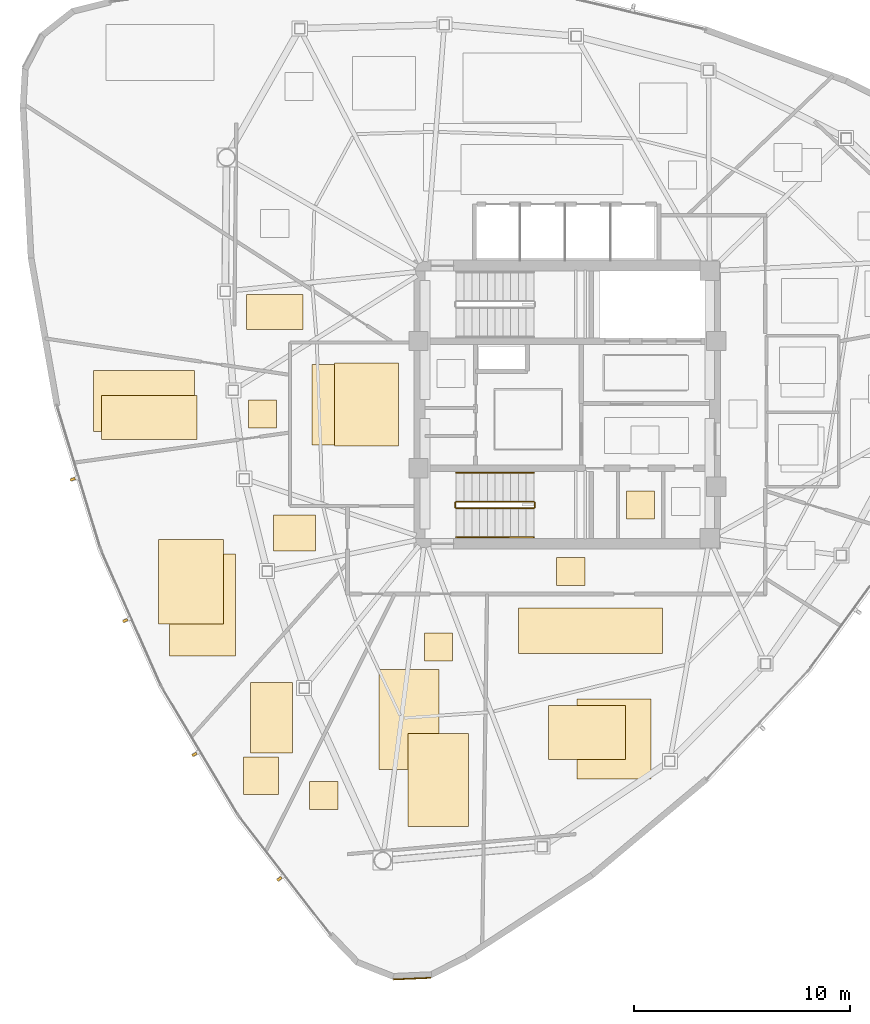
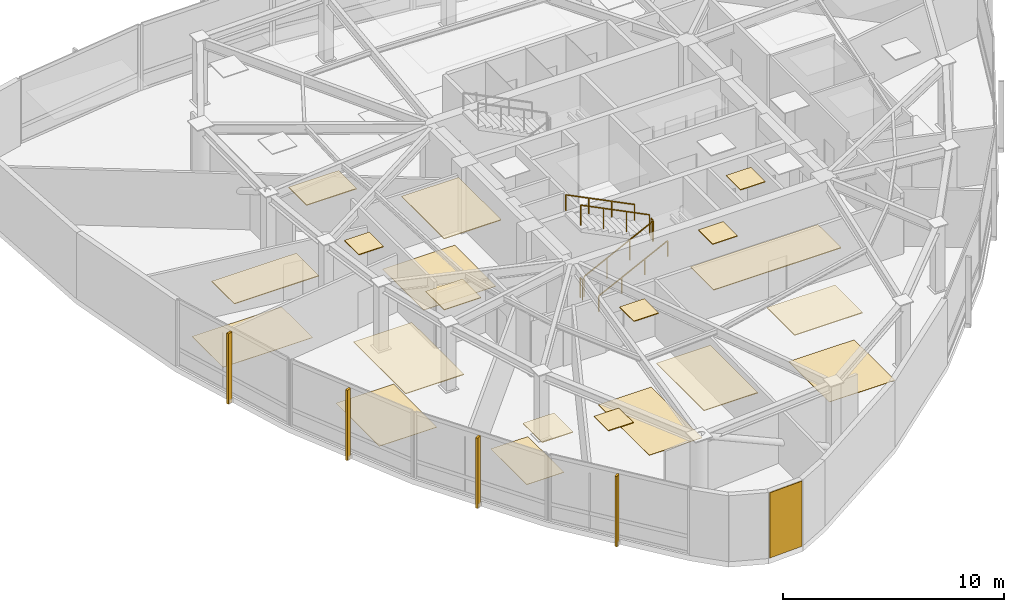
# One storey, part 12 of 14: 21 coverings, 6 railings, 4 shading devices.
"""IFC4 building model written with IfcOpenShell, lengths in metres."""

import ifcopenshell
import ifcopenshell.guid

model = None  # the IFC model being written
_history = None  # IfcOwnerHistory: only IFC2X3 demands one
_inside = {}  # id of a spatial element -> (the spatial element, [elements in it])
_under = {}  # id of a project, library or spatial element -> (it, [spatial elements below it])
_declared = {}  # id of a project -> (the project, [libraries it declares])
_typed = {}  # id of a type object -> (the type object, [elements of that type])
_made_of = {}  # id of a material, layer set ... -> (it, [elements and type objects made of it])


def new_model(schema):
    """Start an empty IFC model of exactly this schema.

    Asked for "IFC4X3", IfcOpenShell would pick the latest addendum, in which some entities
    have other attributes; the version numbers below select the first issue.
    IFC2X3 requires an IfcOwnerHistory on every rooted entity: one is made here for all.
    """
    global model, _history
    if schema == "IFC4X3":
        model = ifcopenshell.file(schema_version=(4, 3, 0, 0))
    else:
        model = ifcopenshell.file(schema=schema)
    _inside.clear()
    _under.clear()
    _declared.clear()
    _typed.clear()
    _made_of.clear()
    _history = None
    if model.schema == "IFC2X3":
        org = make("IfcOrganization", Name="unknown")
        user = make(
            "IfcPersonAndOrganization",
            ThePerson=make("IfcPerson", FamilyName="unknown"),
            TheOrganization=org,
        )
        app = make(
            "IfcApplication",
            ApplicationDeveloper=org,
            Version="unknown",
            ApplicationFullName="unknown",
            ApplicationIdentifier="unknown",
        )
        _history = make(
            "IfcOwnerHistory",
            OwningUser=user,
            OwningApplication=app,
            ChangeAction="ADDED",
            CreationDate=0,
        )
    return model


def make(cls, **values):
    """One entity of the class cls with the attributes given. An attribute that is None is left unset."""
    return model.create_entity(
        cls, **{name: value for name, value in values.items() if value is not None}
    )


def rooted(cls, **values):
    """An entity with a GlobalId (a new one), such as an element, a storey or a relation."""
    return make(cls, GlobalId=ifcopenshell.guid.new(), OwnerHistory=_history, **values)


def si_unit(unit_type, name, prefix=None):
    """IfcSIUnit, for example si_unit("LENGTHUNIT", "METRE", prefix="MILLI")."""
    return make("IfcSIUnit", UnitType=unit_type, Prefix=prefix, Name=name)


def assignment(units):
    """IfcUnitAssignment: the units of a project."""
    return None if units is None else make("IfcUnitAssignment", Units=units)


def point(xyz):
    """IfcCartesianPoint."""
    return None if xyz is None else make("IfcCartesianPoint", Coordinates=xyz)


def direction(xyz):
    """IfcDirection."""
    return None if xyz is None else make("IfcDirection", DirectionRatios=xyz)


def frame(location, z_axis=None, x_axis=None):
    """IfcAxis2Placement3D, a coordinate frame: its origin and axes. An axis left out is left unset."""
    return make(
        "IfcAxis2Placement3D",
        Location=point(location),
        Axis=direction(z_axis),
        RefDirection=direction(x_axis),
    )


def frame_2d(location, x_axis=None):
    """IfcAxis2Placement2D, a coordinate frame in the plane: its origin and x axis."""
    return make(
        "IfcAxis2Placement2D", Location=point(location), RefDirection=direction(x_axis)
    )


def origin():
    """The frame at (0, 0, 0) with its axes left unset."""
    return frame((0.0, 0.0, 0.0))


def origin_2d():
    """The frame at (0, 0) in the plane with its x axis left unset."""
    return frame_2d((0.0, 0.0))


def place(relative_to, where):
    """IfcLocalPlacement: puts the frame where relative to a parent placement (None: the world)."""
    return make(
        "IfcLocalPlacement", PlacementRelTo=relative_to, RelativePlacement=where
    )


def context(
    kind, dimensions, precision=None, world=None, true_north=None, identifier=None
):
    """IfcGeometricRepresentationContext, for example the 3D "Model" context."""
    return make(
        "IfcGeometricRepresentationContext",
        ContextIdentifier=identifier,
        ContextType=kind,
        CoordinateSpaceDimension=dimensions,
        Precision=precision,
        WorldCoordinateSystem=world,
        TrueNorth=true_north,
    )


def subcontext(parent, identifier, kind, view, scale=None):
    """IfcGeometricRepresentationSubContext, for example "Body" below "Model"."""
    return make(
        "IfcGeometricRepresentationSubContext",
        ContextIdentifier=identifier,
        ContextType=kind,
        ParentContext=parent,
        TargetScale=scale,
        TargetView=view,
    )


def project(units=None, contexts=None):
    """IfcProject with its units and contexts."""
    return rooted(
        "IfcProject",
        Name="project",
        RepresentationContexts=contexts,
        UnitsInContext=assignment(units),
    )


def spatial(cls, under=None, at=None, **own):
    """A site, building, storey or space (cls), placed at a placement, below another one or the project."""
    s = rooted(cls, ObjectPlacement=at, **own)
    if under is not None:
        _under.setdefault(under.id(), (under, []))[1].append(s)
    return s


def polyline(points):
    """IfcPolyline through the points."""
    return make("IfcPolyline", Points=[point(p) for p in points])


def profile(cls, at=None, kind="AREA", **sizes):
    """A parametric profile (cls). Its sizes go by their IFC names, for example OverallWidth=200.0."""
    return make(cls, ProfileType=kind, Position=at, **sizes)


def rectangle(**sizes):
    """IfcRectangleProfileDef."""
    return profile("IfcRectangleProfileDef", **sizes)


def outline(outer, holes=None, kind="AREA"):
    """IfcArbitraryClosedProfileDef: a profile drawn as a closed curve; with holes, ...WithVoids."""
    if holes is None:
        return make("IfcArbitraryClosedProfileDef", ProfileType=kind, OuterCurve=outer)
    return make(
        "IfcArbitraryProfileDefWithVoids",
        ProfileType=kind,
        OuterCurve=outer,
        InnerCurves=holes,
    )


def extrude(swept, where, along, depth):
    """IfcExtrudedAreaSolid: the profile swept, set in the frame where, extruded along a direction by depth."""
    return make(
        "IfcExtrudedAreaSolid",
        SweptArea=swept,
        Position=where,
        ExtrudedDirection=direction(along),
        Depth=depth,
    )


def shape(context_of_items, identifier, shape_type, items):
    """IfcShapeRepresentation: the items that make up one representation, for example the "Body"."""
    return make(
        "IfcShapeRepresentation",
        ContextOfItems=context_of_items,
        RepresentationIdentifier=identifier,
        RepresentationType=shape_type,
        Items=items,
    )


def source(mapping_origin, context_of_items, identifier, shape_type, items):
    """IfcRepresentationMap: a shape defined once, which mapped items show again and again."""
    return make(
        "IfcRepresentationMap",
        MappingOrigin=mapping_origin,
        MappedRepresentation=shape(context_of_items, identifier, shape_type, items),
    )


def transform(
    local_origin,
    x_axis=None,
    y_axis=None,
    z_axis=None,
    scale=None,
    scale2=None,
    scale3=None,
    uniform=True,
):
    """IfcCartesianTransformationOperator3D, or its non-uniform kind. x_axis, y_axis, z_axis: its Axis1, 2, 3."""
    if uniform:
        return make(
            "IfcCartesianTransformationOperator3D",
            Axis1=direction(x_axis),
            Axis2=direction(y_axis),
            LocalOrigin=point(local_origin),
            Scale=scale,
            Axis3=direction(z_axis),
        )
    return make(
        "IfcCartesianTransformationOperator3DnonUniform",
        Axis1=direction(x_axis),
        Axis2=direction(y_axis),
        LocalOrigin=point(local_origin),
        Scale=scale,
        Axis3=direction(z_axis),
        Scale2=scale2,
        Scale3=scale3,
    )


def mapped(mapping_source, mapping_target):
    """IfcMappedItem: shows the shape of a source again, moved by a transform."""
    return make(
        "IfcMappedItem", MappingSource=mapping_source, MappingTarget=mapping_target
    )


def material(Name=None, Category=None):
    """IfcMaterial."""
    return make("IfcMaterial", Name=Name, Category=Category)


def layer(
    of_material, thickness, ventilated=None, Name=None, Category=None, Priority=None
):
    """IfcMaterialLayer: one layer of a wall or slab, of a material (None: an air gap)."""
    return make(
        "IfcMaterialLayer",
        Material=of_material,
        LayerThickness=thickness,
        IsVentilated=ventilated,
        Name=Name,
        Category=Category,
        Priority=Priority,
    )


def layer_set(layers, Name=None):
    """IfcMaterialLayerSet."""
    return make("IfcMaterialLayerSet", MaterialLayers=layers, LayerSetName=Name)


def made_of(thing, what):
    """Note that an element or type object is made of a material, layer set ...; save() writes the relation."""
    if what is not None:
        _made_of.setdefault(what.id(), (what, []))[1].append(thing)
    return thing


def type_object(cls, material=None, **own):
    """A type object (cls), such as IfcWallType, which elements share."""
    return made_of(rooted(cls, **own), material)


def type_shapes(of_type, sources):
    """Give a type object the sources (RepresentationMaps) that its elements show as mapped items."""
    of_type.RepresentationMaps = sources


def element(
    cls,
    number,
    at=None,
    inside=None,
    cuts=None,
    type_object=None,
    material=None,
    context=None,
    identifier="Body",
    shape_type=None,
    held_by="IfcProductDefinitionShape",
    body=None,
    shapes=None,
    **own,
):
    """One element of the class cls, such as IfcWall. Its Tag is "e" and its number.

    at: its placement. inside: the storey or other place that contains it. cuts: it is an
    opening in that element (IfcRelVoidsElement). A single representation is given by context,
    identifier, shape_type and body (its items); several are given by shapes. held_by: the class
    of the entity that holds the representations. save() writes the other relations.
    """
    e = rooted(cls, Tag="e%d" % number, ObjectPlacement=at, **own)
    if body is not None:
        shapes = [shape(context, identifier, shape_type, body)]
    if shapes is not None:
        e.Representation = make(held_by, Representations=shapes)
    if inside is not None:
        _inside.setdefault(inside.id(), (inside, []))[1].append(e)
    if cuts is not None:
        rooted(
            "IfcRelVoidsElement", RelatingBuildingElement=cuts, RelatedOpeningElement=e
        )
    if type_object is not None:
        _typed.setdefault(type_object.id(), (type_object, []))[1].append(e)
    return made_of(e, material)


def aggregate(whole, parts):
    """IfcRelAggregates: a whole, such as a stair, and the parts it consists of."""
    return rooted("IfcRelAggregates", RelatingObject=whole, RelatedObjects=parts)


def save(model, path):
    """Write the relations noted so far, then the file.

    IfcRelAggregates (storeys below a building ...), IfcRelContainedInSpatialStructure (elements
    in a storey), IfcRelDefinesByType, IfcRelAssociatesMaterial and IfcRelDeclares: one each for
    every whole, place, type object, material and project.
    """
    for whole, parts in _under.values():
        aggregate(whole, parts)
    for where, things in _inside.values():
        rooted(
            "IfcRelContainedInSpatialStructure",
            RelatedElements=things,
            RelatingStructure=where,
        )
    for kind, things in _typed.values():
        rooted("IfcRelDefinesByType", RelatedObjects=things, RelatingType=kind)
    for what, things in _made_of.values():
        rooted("IfcRelAssociatesMaterial", RelatedObjects=things, RelatingMaterial=what)
    for by, libraries in _declared.values():
        rooted("IfcRelDeclares", RelatingContext=by, RelatedDefinitions=libraries)
    model.write(path)


model = new_model("IFC4")

# Units and contexts
model_context = context("Model", 3, precision=1e-05, world=origin(), true_north=direction((0.0, 1.0)))
body_context = subcontext(model_context, "Body", "Model", "MODEL_VIEW")
ifc_project = project(units=[si_unit("LENGTHUNIT", "METRE"), si_unit("AREAUNIT", "SQUARE_METRE"), si_unit("VOLUMEUNIT", "CUBIC_METRE"), si_unit("PLANEANGLEUNIT", "RADIAN"), si_unit("MASSUNIT", "GRAM", prefix="KILO")], contexts=[model_context])

# Site, building, storey
site_placement = place(None, origin())
site = spatial("IfcSite", under=ifc_project, at=site_placement, CompositionType="ELEMENT")
building_placement = place(site_placement, origin())
building = spatial("IfcBuilding", under=site, at=building_placement, Name="Tavelor Broadcast Tower", CompositionType="ELEMENT")
storey_placement = place(building_placement, frame((0.0, 0.0, 253.75)))
storey = spatial("IfcBuildingStorey", under=building, at=storey_placement, Name="L60", CompositionType="ELEMENT", Elevation=253.75)

# Covering
ifc_material_1 = material(Name="Copper-Bronze Anodized Aluminium", Category="aluminium")
ifc_layer_1 = layer(ifc_material_1, 0.050048828125)
ifc_layer_set_1 = layer_set([ifc_layer_1], Name="Copper-Bronze Anodized Aluminium")
covering_type_1 = type_object("IfcCoveringType", Name="Champagne-Bronze Corner Pier Metal Cladding 50 mm", PredefinedType="CLADDING", material=ifc_layer_set_1)
covering_1_placement = place(storey_placement, frame((42.80712890625, 18.380859375, 0.02001953125), z_axis=(0.0, 0.0, 1.0), x_axis=(0.999009776081, 0.044491204688, 0.0)))
element("IfcCovering", 1, at=covering_1_placement, inside=storey, type_object=covering_type_1, Name="L60 Champagne-Bronze Corner Cladding 13", PredefinedType="CLADDING", context=body_context, shape_type="SweptSolid", body=[
    extrude(rectangle(XDim=1.734619140625, YDim=0.050048828125, at=origin_2d()), origin(), (0.0, 0.0, 1.0), 3.610107421875),
])

# Railings
ifc_material_2 = material(Name="Steel S355", Category="steel")
railing_type_1 = type_object("IfcRailingType", Name="Continuous Brushed Stainless Handrail 900 mm", PredefinedType="HANDRAIL", material=ifc_material_2)
railing_1_placement = place(storey_placement, frame((44.85009765625, 38.85009765625, 0.179443359375)))
element("IfcRailing", 2, at=railing_1_placement, inside=storey, type_object=railing_type_1, Name="L60 ST2 stair handrail 1", PredefinedType="HANDRAIL", context=body_context, shape_type="SweptSolid", body=[
    extrude(rectangle(XDim=0.048095703125, YDim=0.048095703125, at=origin_2d()), frame((0.0, 0.0, 0.8759765625), z_axis=(0.894851606799, 0.0, 0.446363755036), x_axis=(0.0, 1.0, 0.0)), (0.0, 0.0, 1.0), 4.02294921875),
    extrude(rectangle(XDim=0.0419921875, YDim=0.0419921875, at=origin_2d()), origin(), (0.0, 0.0, 1.0), 0.851806640625),
    extrude(rectangle(XDim=0.0419921875, YDim=0.0419921875, at=origin_2d()), frame((1.199951171875, 0.0, 0.5986328125)), (0.0, 0.0, 1.0), 0.851806640625),
    extrude(rectangle(XDim=0.0419921875, YDim=0.0419921875, at=origin_2d()), frame((2.39990234375, 0.0, 1.197021484375)), (0.0, 0.0, 1.0), 0.851806640625),
    extrude(rectangle(XDim=0.0419921875, YDim=0.0419921875, at=origin_2d()), frame((3.599853515625, 0.0, 1.795654296875)), (0.0, 0.0, 1.0), 0.851806640625),
])
railing_2_placement = place(storey_placement, frame((48.449951171875, 41.85009765625, 2.154541015625)))
element("IfcRailing", 3, at=railing_2_placement, inside=storey, type_object=railing_type_1, Name="L60 ST2 stair handrail 2", PredefinedType="HANDRAIL", context=body_context, shape_type="SweptSolid", body=[
    extrude(rectangle(XDim=0.048095703125, YDim=0.048095703125, at=origin_2d()), frame((0.0, 0.0, 0.8759765625), z_axis=(-0.894875846893, 0.0, 0.446315156192), x_axis=(0.0, -1.0, 0.0)), (0.0, 0.0, 1.0), 4.022705078125),
    extrude(rectangle(XDim=0.0419921875, YDim=0.0419921875, at=origin_2d()), origin(), (0.0, 0.0, 1.0), 0.851806640625),
    extrude(rectangle(XDim=0.0419921875, YDim=0.0419921875, at=origin_2d()), frame((-1.199951171875, 0.0, 0.598388671875)), (0.0, 0.0, 1.0), 0.851806640625),
    extrude(rectangle(XDim=0.0419921875, YDim=0.0419921875, at=origin_2d()), frame((-2.39990234375, 0.0, 1.197021484375)), (0.0, 0.0, 1.0), 0.851806640625),
    extrude(rectangle(XDim=0.0419921875, YDim=0.0419921875, at=origin_2d()), frame((-3.599853515625, 0.0, 1.79541015625)), (0.0, 0.0, 1.0), 0.851806640625),
])

# Coverings
ifc_material_3 = material(Name="Architectural Anodized Aluminium", Category="aluminium")
ifc_layer_2 = layer(ifc_material_3, 0.034912109375)
ifc_layer_set_2 = layer_set([ifc_layer_2], Name="Architectural Anodized Aluminium")
covering_type_2 = type_object("IfcCoveringType", Name="Demountable Metal Tile Corridor Ceiling 35 mm", PredefinedType="CEILING", material=ifc_layer_set_2)
covering_2_placement = place(storey_placement, frame((0.0, 0.0, 3.614990234375)))
element("IfcCovering", 4, at=covering_2_placement, inside=storey, type_object=covering_type_2, Name="L60 Suspended Acoustic Ceiling 2344", PredefinedType="CEILING", context=body_context, shape_type="SweptSolid", body=[
    extrude(outline(polyline([(49.51025390625, 36.610107421875), (50.810302734375, 36.610107421875), (50.810302734375, 37.909912109375), (49.51025390625, 37.909912109375), (49.51025390625, 36.610107421875)])), origin(), (0.0, 0.0, 1.0), 0.034912109375),
])
ifc_material_4 = material(Name="Acoustic Nylon Carpet Tile")
ifc_layer_3 = layer(ifc_material_4, 0.02001953125)
ifc_layer_set_3 = layer_set([ifc_layer_3], Name="Acoustic Nylon Carpet Tile")
covering_type_3 = type_object("IfcCoveringType", Name="Heavy-Duty Acoustic Broadcast Carpet Tile 20 mm", PredefinedType="FLOORING", material=ifc_layer_set_3)
covering_3_placement = place(storey_placement, origin())
element("IfcCovering", 5, at=covering_3_placement, inside=storey, type_object=covering_type_3, Name="L60 Broadcast Floor Finish 0882", PredefinedType="FLOORING", context=body_context, shape_type="SweptSolid", body=[
    extrude(outline(polyline([(38.15771484375, 43.12890625), (41.942138671875, 43.12890625), (41.942138671875, 46.87060546875), (38.15771484375, 46.87060546875), (38.15771484375, 43.12890625)])), origin(), (0.0, 0.0, 1.0), 0.02001953125),
])
covering_4_placement = place(storey_placement, origin())
element("IfcCovering", 6, at=covering_4_placement, inside=storey, type_object=covering_type_3, Name="L60 Broadcast Floor Finish 0885", PredefinedType="FLOORING", context=body_context, shape_type="SweptSolid", body=[
    extrude(outline(polyline([(50.444580078125, 27.650146484375), (53.87548828125, 27.650146484375), (53.87548828125, 31.341796875), (50.444580078125, 31.341796875), (50.444580078125, 27.650146484375)])), origin(), (0.0, 0.0, 1.0), 0.02001953125),
])
covering_5_placement = place(storey_placement, origin())
element("IfcCovering", 7, at=covering_5_placement, inside=storey, type_object=covering_type_3, Name="L60 Broadcast Floor Finish 0886", PredefinedType="FLOORING", context=body_context, shape_type="SweptSolid", body=[
    extrude(outline(polyline([(41.272216796875, 28.089599609375), (44.0439453125, 28.089599609375), (44.0439453125, 32.705810546875), (41.272216796875, 32.705810546875), (41.272216796875, 28.089599609375)])), origin(), (0.0, 0.0, 1.0), 0.02001953125),
])
covering_6_placement = place(storey_placement, origin())
element("IfcCovering", 8, at=covering_6_placement, inside=storey, type_object=covering_type_3, Name="L60 Broadcast Floor Finish 0887", PredefinedType="FLOORING", context=body_context, shape_type="SweptSolid", body=[
    extrude(outline(polyline([(35.30517578125, 28.85498046875), (37.250244140625, 28.85498046875), (37.250244140625, 32.114990234375), (35.30517578125, 32.114990234375), (35.30517578125, 28.85498046875)])), origin(), (0.0, 0.0, 1.0), 0.02001953125),
])
covering_7_placement = place(storey_placement, origin())
element("IfcCovering", 9, at=covering_7_placement, inside=storey, type_object=covering_type_3, Name="L60 Broadcast Floor Finish 0888", PredefinedType="FLOORING", context=body_context, shape_type="SweptSolid", body=[
    extrude(outline(polyline([(31.039794921875, 34.822265625), (34.057373046875, 34.822265625), (34.057373046875, 38.751708984375), (31.039794921875, 38.751708984375), (31.039794921875, 34.822265625)])), origin(), (0.0, 0.0, 1.0), 0.02001953125),
])
covering_8_placement = place(storey_placement, origin())
element("IfcCovering", 10, at=covering_8_placement, inside=storey, type_object=covering_type_3, Name="L60 Broadcast Floor Finish 0889", PredefinedType="FLOORING", context=body_context, shape_type="SweptSolid", body=[
    extrude(outline(polyline([(28.027587890625, 43.7626953125), (32.713623046875, 43.7626953125), (32.713623046875, 46.57568359375), (28.027587890625, 46.57568359375), (28.027587890625, 43.7626953125)])), origin(), (0.0, 0.0, 1.0), 0.02001953125),
])

# Railings
railing_type_2 = type_object("IfcRailingType", Name="Stairwell Steel Safety Guardrail 1150 mm", PredefinedType="GUARDRAIL", material=ifc_material_2)
railing_3_placement = place(storey_placement, frame((44.85009765625, 40.199951171875, 0.179443359375)))
element("IfcRailing", 11, at=railing_3_placement, inside=storey, type_object=railing_type_2, Name="L60 ST2 stair guard 1", PredefinedType="GUARDRAIL", context=body_context, shape_type="SweptSolid", body=[
    extrude(rectangle(XDim=0.048095703125, YDim=0.048095703125, at=origin_2d()), frame((0.0, 0.0, 1.1259765625), z_axis=(0.894851606799, 0.0, 0.446363755036), x_axis=(0.0, 1.0, 0.0)), (0.0, 0.0, 1.0), 4.02294921875),
    extrude(rectangle(XDim=0.0419921875, YDim=0.0419921875, at=origin_2d()), origin(), (0.0, 0.0, 1.0), 1.101806640625),
    extrude(rectangle(XDim=0.0419921875, YDim=0.0419921875, at=origin_2d()), frame((1.199951171875, 0.0, 0.5986328125)), (0.0, 0.0, 1.0), 1.101806640625),
    extrude(rectangle(XDim=0.0419921875, YDim=0.0419921875, at=origin_2d()), frame((2.39990234375, 0.0, 1.197021484375)), (0.0, 0.0, 1.0), 1.101806640625),
    extrude(rectangle(XDim=0.0419921875, YDim=0.0419921875, at=origin_2d()), frame((3.599853515625, 0.0, 1.795654296875)), (0.0, 0.0, 1.0), 1.101806640625),
])
railing_4_placement = place(storey_placement, frame((48.5, 40.25, 1.97509765625)))
element("IfcRailing", 12, at=railing_4_placement, inside=storey, type_object=railing_type_2, Name="L60 ST2 stair guard 2", PredefinedType="GUARDRAIL", context=body_context, shape_type="SweptSolid", body=[
    extrude(rectangle(XDim=0.048095703125, YDim=0.048095703125, at=origin_2d()), frame((0.0, 0.0, 1.1259765625), z_axis=(0.0, 1.0, 0.0), x_axis=(-1.0, 0.0, 0.0)), (0.0, 0.0, 1.0), 0.199951171875),
    extrude(rectangle(XDim=0.0419921875, YDim=0.0419921875, at=origin_2d()), origin(), (0.0, 0.0, 1.0), 1.101806640625),
    extrude(rectangle(XDim=0.0419921875, YDim=0.0419921875, at=origin_2d()), frame((0.0, 0.199951171875, 0.0)), (0.0, 0.0, 1.0), 1.101806640625),
])
railing_5_placement = place(storey_placement, frame((48.449951171875, 40.5, 2.154541015625)))
element("IfcRailing", 13, at=railing_5_placement, inside=storey, type_object=railing_type_2, Name="L60 ST2 stair guard 3", PredefinedType="GUARDRAIL", context=body_context, shape_type="SweptSolid", body=[
    extrude(rectangle(XDim=0.048095703125, YDim=0.048095703125, at=origin_2d()), frame((0.0, 0.0, 1.1259765625), z_axis=(-0.894875846893, 0.0, 0.446315156192), x_axis=(0.0, -1.0, 0.0)), (0.0, 0.0, 1.0), 4.022705078125),
    extrude(rectangle(XDim=0.0419921875, YDim=0.0419921875, at=origin_2d()), origin(), (0.0, 0.0, 1.0), 1.101806640625),
    extrude(rectangle(XDim=0.0419921875, YDim=0.0419921875, at=origin_2d()), frame((-1.199951171875, 0.0, 0.598388671875)), (0.0, 0.0, 1.0), 1.101806640625),
    extrude(rectangle(XDim=0.0419921875, YDim=0.0419921875, at=origin_2d()), frame((-2.39990234375, 0.0, 1.197021484375)), (0.0, 0.0, 1.0), 1.101806640625),
    extrude(rectangle(XDim=0.0419921875, YDim=0.0419921875, at=origin_2d()), frame((-3.599853515625, 0.0, 1.79541015625)), (0.0, 0.0, 1.0), 1.101806640625),
])
railing_6_placement = place(storey_placement, frame((44.800048828125, 40.25, 0.0)))
element("IfcRailing", 14, at=railing_6_placement, inside=storey, type_object=railing_type_2, Name="L60 ST2 stair guard 4", PredefinedType="GUARDRAIL", context=body_context, shape_type="SweptSolid", body=[
    extrude(rectangle(XDim=0.048095703125, YDim=0.048095703125, at=origin_2d()), frame((0.0, 0.0, 1.1259765625), z_axis=(0.0, 1.0, 0.0), x_axis=(-1.0, 0.0, 0.0)), (0.0, 0.0, 1.0), 0.199951171875),
    extrude(rectangle(XDim=0.0419921875, YDim=0.0419921875, at=origin_2d()), origin(), (0.0, 0.0, 1.0), 1.101806640625),
    extrude(rectangle(XDim=0.0419921875, YDim=0.0419921875, at=origin_2d()), frame((0.0, 0.199951171875, 0.0)), (0.0, 0.0, 1.0), 1.101806640625),
])

# Coverings
ifc_material_5 = material(Name="Acoustic Mineral Fibre Tile")
ifc_layer_4 = layer(ifc_material_5, 0.0400390625)
ifc_layer_set_4 = layer_set([ifc_layer_4], Name="Acoustic Mineral Fibre Tile")
covering_type_4 = type_object("IfcCoveringType", Name="Suspended Acoustic Mineral-Fibre Office Ceiling 40 mm", PredefinedType="CEILING", material=ifc_layer_set_4)
covering_9_placement = place(storey_placement, frame((0.0, 0.0, 3.610107421875)))
element("IfcCovering", 15, at=covering_9_placement, inside=storey, type_object=covering_type_4, Name="L60 Suspended Acoustic Ceiling 2340", PredefinedType="CEILING", context=body_context, shape_type="SweptSolid", body=[
    extrude(outline(polyline([(52.75, 39.699951171875), (54.050048828125, 39.699951171875), (54.050048828125, 41.0), (52.75, 41.0), (52.75, 39.699951171875)])), origin(), (0.0, 0.0, 1.0), 0.039794921875),
])
covering_10_placement = place(storey_placement, frame((0.0, 0.0, 3.610107421875)))
element("IfcCovering", 16, at=covering_10_placement, inside=storey, type_object=covering_type_4, Name="L60 Suspended Acoustic Ceiling 2345", PredefinedType="CEILING", context=body_context, shape_type="SweptSolid", body=[
    extrude(outline(polyline([(39.194580078125, 43.0712890625), (42.177978515625, 43.0712890625), (42.177978515625, 46.927978515625), (39.194580078125, 46.927978515625), (39.194580078125, 43.0712890625)])), origin(), (0.0, 0.0, 1.0), 0.039794921875),
])
covering_11_placement = place(storey_placement, frame((0.0, 0.0, 3.610107421875)))
element("IfcCovering", 17, at=covering_11_placement, inside=storey, type_object=covering_type_4, Name="L60 Suspended Acoustic Ceiling 2348", PredefinedType="CEILING", context=body_context, shape_type="SweptSolid", body=[
    extrude(outline(polyline([(49.135009765625, 28.53271484375), (52.697021484375, 28.53271484375), (52.697021484375, 31.042724609375), (49.135009765625, 31.042724609375), (49.135009765625, 28.53271484375)])), origin(), (0.0, 0.0, 1.0), 0.039794921875),
])
covering_12_placement = place(storey_placement, frame((0.0, 0.0, 3.610107421875)))
element("IfcCovering", 18, at=covering_12_placement, inside=storey, type_object=covering_type_4, Name="L60 Suspended Acoustic Ceiling 2349", PredefinedType="CEILING", context=body_context, shape_type="SweptSolid", body=[
    extrude(outline(polyline([(47.7451171875, 33.45849609375), (54.41455078125, 33.45849609375), (54.41455078125, 35.563720703125), (47.7451171875, 35.563720703125), (47.7451171875, 33.45849609375)])), origin(), (0.0, 0.0, 1.0), 0.039794921875),
])
covering_13_placement = place(storey_placement, frame((0.0, 0.0, 3.610107421875)))
element("IfcCovering", 19, at=covering_13_placement, inside=storey, type_object=covering_type_4, Name="L60 Suspended Acoustic Ceiling 2350", PredefinedType="CEILING", context=body_context, shape_type="SweptSolid", body=[
    extrude(outline(polyline([(38.0556640625, 26.214599609375), (39.355712890625, 26.214599609375), (39.355712890625, 27.514404296875), (38.0556640625, 27.514404296875), (38.0556640625, 26.214599609375)])), origin(), (0.0, 0.0, 1.0), 0.039794921875),
])
covering_14_placement = place(storey_placement, frame((0.0, 0.0, 3.610107421875)))
element("IfcCovering", 20, at=covering_14_placement, inside=storey, type_object=covering_type_4, Name="L60 Suspended Acoustic Ceiling 2351", PredefinedType="CEILING", context=body_context, shape_type="SweptSolid", body=[
    extrude(outline(polyline([(43.373046875, 33.119384765625), (44.673095703125, 33.119384765625), (44.673095703125, 34.41943359375), (43.373046875, 34.41943359375), (43.373046875, 33.119384765625)])), origin(), (0.0, 0.0, 1.0), 0.039794921875),
])
covering_15_placement = place(storey_placement, frame((0.0, 0.0, 3.610107421875)))
element("IfcCovering", 21, at=covering_15_placement, inside=storey, type_object=covering_type_4, Name="L60 Suspended Acoustic Ceiling 2352", PredefinedType="CEILING", context=body_context, shape_type="SweptSolid", body=[
    extrude(outline(polyline([(42.60205078125, 25.427978515625), (45.41748046875, 25.427978515625), (45.41748046875, 29.74169921875), (42.60205078125, 29.74169921875), (42.60205078125, 25.427978515625)])), origin(), (0.0, 0.0, 1.0), 0.039794921875),
])
covering_16_placement = place(storey_placement, frame((0.0, 0.0, 3.610107421875)))
element("IfcCovering", 22, at=covering_16_placement, inside=storey, type_object=covering_type_4, Name="L60 Suspended Acoustic Ceiling 2353", PredefinedType="CEILING", context=body_context, shape_type="SweptSolid", body=[
    extrude(outline(polyline([(34.986328125, 26.92431640625), (36.611572265625, 26.92431640625), (36.611572265625, 28.65576171875), (34.986328125, 28.65576171875), (34.986328125, 26.92431640625)])), origin(), (0.0, 0.0, 1.0), 0.039794921875),
])
covering_17_placement = place(storey_placement, frame((0.0, 0.0, 3.610107421875)))
element("IfcCovering", 23, at=covering_17_placement, inside=storey, type_object=covering_type_4, Name="L60 Suspended Acoustic Ceiling 2354", PredefinedType="CEILING", context=body_context, shape_type="SweptSolid", body=[
    extrude(outline(polyline([(31.559326171875, 33.340576171875), (34.610595703125, 33.340576171875), (34.610595703125, 38.06591796875), (31.559326171875, 38.06591796875), (31.559326171875, 33.340576171875)])), origin(), (0.0, 0.0, 1.0), 0.039794921875),
])
covering_18_placement = place(storey_placement, frame((0.0, 0.0, 3.610107421875)))
element("IfcCovering", 24, at=covering_18_placement, inside=storey, type_object=covering_type_4, Name="L60 Suspended Acoustic Ceiling 2355", PredefinedType="CEILING", context=body_context, shape_type="SweptSolid", body=[
    extrude(outline(polyline([(36.384521484375, 38.205078125), (38.322509765625, 38.205078125), (38.322509765625, 39.88623046875), (36.384521484375, 39.88623046875), (36.384521484375, 38.205078125)])), origin(), (0.0, 0.0, 1.0), 0.039794921875),
])
covering_19_placement = place(storey_placement, frame((0.0, 0.0, 3.610107421875)))
element("IfcCovering", 25, at=covering_19_placement, inside=storey, type_object=covering_type_4, Name="L60 Suspended Acoustic Ceiling 2356", PredefinedType="CEILING", context=body_context, shape_type="SweptSolid", body=[
    extrude(outline(polyline([(28.387939453125, 43.374267578125), (32.81787109375, 43.374267578125), (32.81787109375, 45.42431640625), (28.387939453125, 45.42431640625), (28.387939453125, 43.374267578125)])), origin(), (0.0, 0.0, 1.0), 0.039794921875),
])
covering_20_placement = place(storey_placement, frame((0.0, 0.0, 3.610107421875)))
element("IfcCovering", 26, at=covering_20_placement, inside=storey, type_object=covering_type_4, Name="L60 Suspended Acoustic Ceiling 2357", PredefinedType="CEILING", context=body_context, shape_type="SweptSolid", body=[
    extrude(outline(polyline([(35.209716796875, 43.90966796875), (36.509765625, 43.90966796875), (36.509765625, 45.209716796875), (35.209716796875, 45.209716796875), (35.209716796875, 43.90966796875)])), origin(), (0.0, 0.0, 1.0), 0.039794921875),
])
covering_21_placement = place(storey_placement, frame((0.0, 0.0, 3.610107421875)))
element("IfcCovering", 27, at=covering_21_placement, inside=storey, type_object=covering_type_4, Name="L60 Suspended Acoustic Ceiling 2358", PredefinedType="CEILING", context=body_context, shape_type="SweptSolid", body=[
    extrude(outline(polyline([(35.121826171875, 48.478271484375), (37.73291015625, 48.478271484375), (37.73291015625, 50.117431640625), (35.121826171875, 50.117431640625), (35.121826171875, 48.478271484375)])), origin(), (0.0, 0.0, 1.0), 0.039794921875),
])

# Shading devices
ifc_material_6 = material(Name="Kiln-Fired Glazed Terracotta", Category="masonry")
shading_device_type = type_object("IfcShadingDeviceType", Name="Extruded Terracotta Baguette Sun-Screen 110x240", PredefinedType="JALOUSIE", material=ifc_material_6)
shared_shape = source(origin(), body_context, "Body", "SweptSolid", [
    extrude(rectangle(XDim=0.110107421875, YDim=0.239990234375, at=origin_2d()), origin(), (0.0, 0.0, 1.0), 3.889892578125),
])
type_shapes(shading_device_type, [shared_shape])
for number, where, z_axis, x_axis, name in (
    (28, (27.06103515625, 41.53662109375, -0.259765625), (0.0, 0.0, 1.0), (0.291203140148, -0.956661241594, 0.0), "L60 Terracotta Baguette Fin 625"),
    (29, (29.49755859375, 34.9853515625, -0.259765625), (0.0, 0.0, 1.0), (0.404662829014, -0.914465961539, 0.0), "L60 Terracotta Baguette Fin 626"),
    (30, (32.708984375, 28.77685546875, -0.259765625), (0.0, 0.0, 1.0), (0.512492545011, -0.858691674181, 0.0), "L60 Terracotta Baguette Fin 627"),
    (31, (36.64794921875, 23.002685546875, -0.259765625), (0.0, 0.0, 1.0), (0.612631200187, -0.790368909154, 0.0), "L60 Terracotta Baguette Fin 628"),
):
    element("IfcShadingDevice", number, at=place(storey_placement, frame(where, z_axis=z_axis, x_axis=x_axis)), inside=storey, type_object=shading_device_type, Name=name, PredefinedType="JALOUSIE", context=body_context, shape_type="MappedRepresentation", body=[
        mapped(shared_shape, transform((0.0, 0.0, 0.0), scale=1.0)),
    ])

save(model, "model.ifc")
